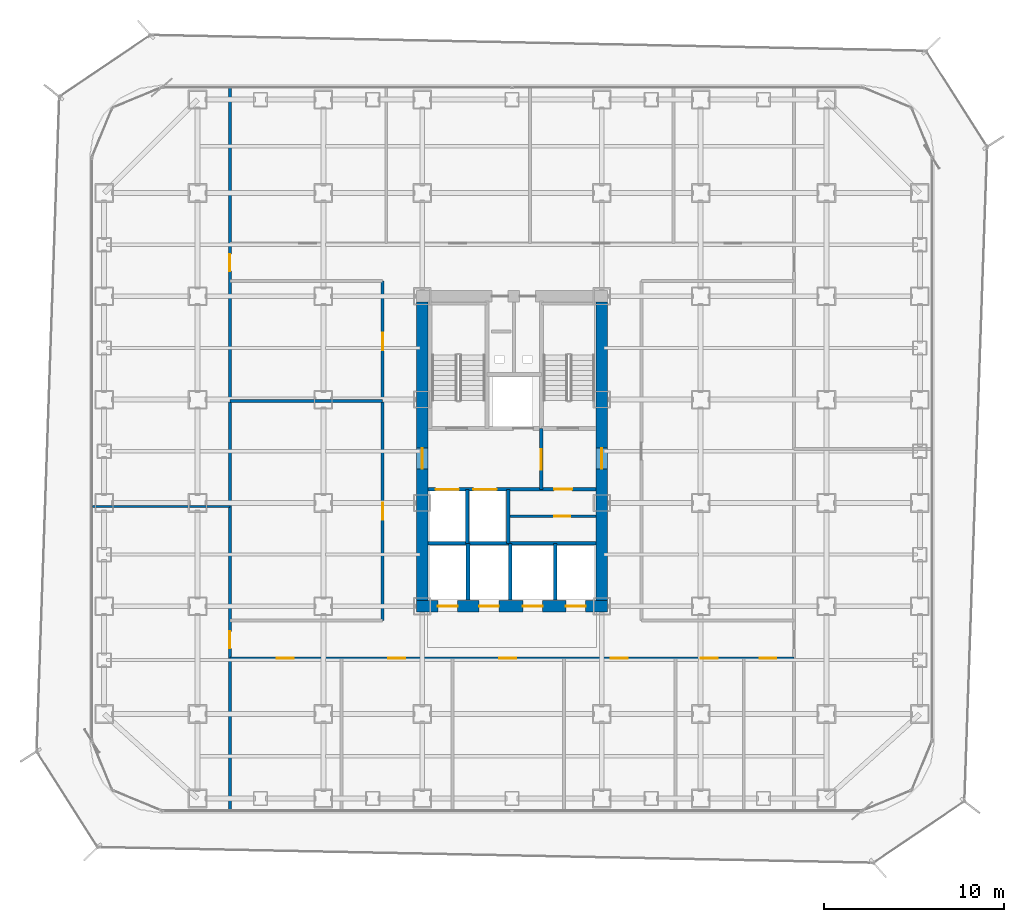
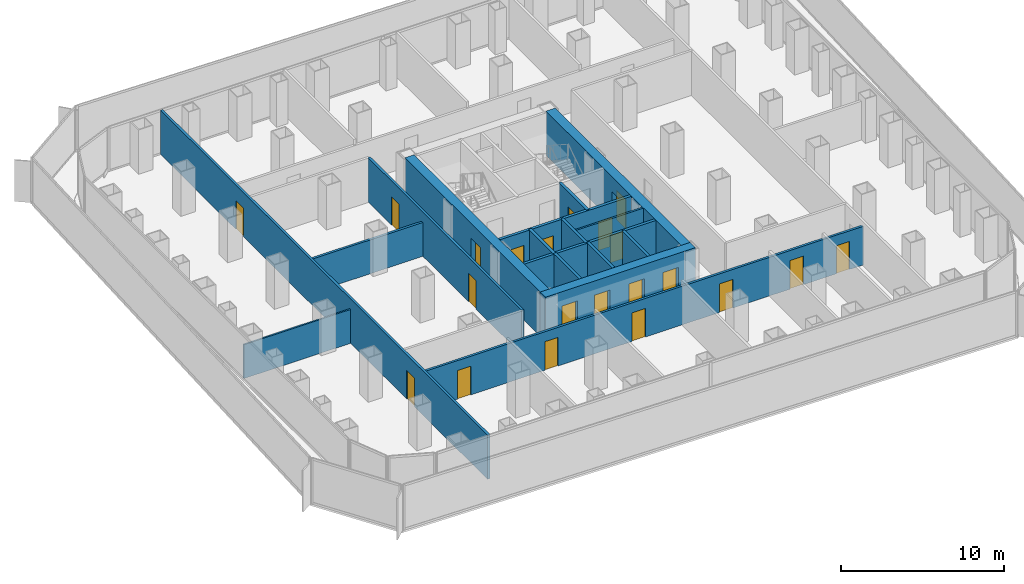
# One storey, part 17 of 22: 21 doors, 17 walls, 21 openings.
"""IFC4 building model written with IfcOpenShell, lengths in metres."""

import ifcopenshell
import ifcopenshell.guid

model = None  # the IFC model being written
_history = None  # IfcOwnerHistory: only IFC2X3 demands one
_inside = {}  # id of a spatial element -> (the spatial element, [elements in it])
_under = {}  # id of a project, library or spatial element -> (it, [spatial elements below it])
_declared = {}  # id of a project -> (the project, [libraries it declares])
_typed = {}  # id of a type object -> (the type object, [elements of that type])
_made_of = {}  # id of a material, layer set ... -> (it, [elements and type objects made of it])


def new_model(schema):
    """Start an empty IFC model of exactly this schema.

    Asked for "IFC4X3", IfcOpenShell would pick the latest addendum, in which some entities
    have other attributes; the version numbers below select the first issue.
    IFC2X3 requires an IfcOwnerHistory on every rooted entity: one is made here for all.
    """
    global model, _history
    if schema == "IFC4X3":
        model = ifcopenshell.file(schema_version=(4, 3, 0, 0))
    else:
        model = ifcopenshell.file(schema=schema)
    _inside.clear()
    _under.clear()
    _declared.clear()
    _typed.clear()
    _made_of.clear()
    _history = None
    if model.schema == "IFC2X3":
        org = make("IfcOrganization", Name="unknown")
        user = make(
            "IfcPersonAndOrganization",
            ThePerson=make("IfcPerson", FamilyName="unknown"),
            TheOrganization=org,
        )
        app = make(
            "IfcApplication",
            ApplicationDeveloper=org,
            Version="unknown",
            ApplicationFullName="unknown",
            ApplicationIdentifier="unknown",
        )
        _history = make(
            "IfcOwnerHistory",
            OwningUser=user,
            OwningApplication=app,
            ChangeAction="ADDED",
            CreationDate=0,
        )
    return model


def make(cls, **values):
    """One entity of the class cls with the attributes given. An attribute that is None is left unset."""
    return model.create_entity(
        cls, **{name: value for name, value in values.items() if value is not None}
    )


def rooted(cls, **values):
    """An entity with a GlobalId (a new one), such as an element, a storey or a relation."""
    return make(cls, GlobalId=ifcopenshell.guid.new(), OwnerHistory=_history, **values)


def si_unit(unit_type, name, prefix=None):
    """IfcSIUnit, for example si_unit("LENGTHUNIT", "METRE", prefix="MILLI")."""
    return make("IfcSIUnit", UnitType=unit_type, Prefix=prefix, Name=name)


def assignment(units):
    """IfcUnitAssignment: the units of a project."""
    return None if units is None else make("IfcUnitAssignment", Units=units)


def point(xyz):
    """IfcCartesianPoint."""
    return None if xyz is None else make("IfcCartesianPoint", Coordinates=xyz)


def direction(xyz):
    """IfcDirection."""
    return None if xyz is None else make("IfcDirection", DirectionRatios=xyz)


def frame(location, z_axis=None, x_axis=None):
    """IfcAxis2Placement3D, a coordinate frame: its origin and axes. An axis left out is left unset."""
    return make(
        "IfcAxis2Placement3D",
        Location=point(location),
        Axis=direction(z_axis),
        RefDirection=direction(x_axis),
    )


def frame_2d(location, x_axis=None):
    """IfcAxis2Placement2D, a coordinate frame in the plane: its origin and x axis."""
    return make(
        "IfcAxis2Placement2D", Location=point(location), RefDirection=direction(x_axis)
    )


def origin():
    """The frame at (0, 0, 0) with its axes left unset."""
    return frame((0.0, 0.0, 0.0))


def place(relative_to, where):
    """IfcLocalPlacement: puts the frame where relative to a parent placement (None: the world)."""
    return make(
        "IfcLocalPlacement", PlacementRelTo=relative_to, RelativePlacement=where
    )


def context(
    kind, dimensions, precision=None, world=None, true_north=None, identifier=None
):
    """IfcGeometricRepresentationContext, for example the 3D "Model" context."""
    return make(
        "IfcGeometricRepresentationContext",
        ContextIdentifier=identifier,
        ContextType=kind,
        CoordinateSpaceDimension=dimensions,
        Precision=precision,
        WorldCoordinateSystem=world,
        TrueNorth=true_north,
    )


def subcontext(parent, identifier, kind, view, scale=None):
    """IfcGeometricRepresentationSubContext, for example "Body" below "Model"."""
    return make(
        "IfcGeometricRepresentationSubContext",
        ContextIdentifier=identifier,
        ContextType=kind,
        ParentContext=parent,
        TargetScale=scale,
        TargetView=view,
    )


def project(units=None, contexts=None):
    """IfcProject with its units and contexts."""
    return rooted(
        "IfcProject",
        Name="project",
        RepresentationContexts=contexts,
        UnitsInContext=assignment(units),
    )


def spatial(cls, under=None, at=None, **own):
    """A site, building, storey or space (cls), placed at a placement, below another one or the project."""
    s = rooted(cls, ObjectPlacement=at, **own)
    if under is not None:
        _under.setdefault(under.id(), (under, []))[1].append(s)
    return s


def profile(cls, at=None, kind="AREA", **sizes):
    """A parametric profile (cls). Its sizes go by their IFC names, for example OverallWidth=200.0."""
    return make(cls, ProfileType=kind, Position=at, **sizes)


def rectangle(**sizes):
    """IfcRectangleProfileDef."""
    return profile("IfcRectangleProfileDef", **sizes)


def extrude(swept, where, along, depth):
    """IfcExtrudedAreaSolid: the profile swept, set in the frame where, extruded along a direction by depth."""
    return make(
        "IfcExtrudedAreaSolid",
        SweptArea=swept,
        Position=where,
        ExtrudedDirection=direction(along),
        Depth=depth,
    )


def shape(context_of_items, identifier, shape_type, items):
    """IfcShapeRepresentation: the items that make up one representation, for example the "Body"."""
    return make(
        "IfcShapeRepresentation",
        ContextOfItems=context_of_items,
        RepresentationIdentifier=identifier,
        RepresentationType=shape_type,
        Items=items,
    )


def material(Name=None, Category=None):
    """IfcMaterial."""
    return make("IfcMaterial", Name=Name, Category=Category)


def layer(
    of_material, thickness, ventilated=None, Name=None, Category=None, Priority=None
):
    """IfcMaterialLayer: one layer of a wall or slab, of a material (None: an air gap)."""
    return make(
        "IfcMaterialLayer",
        Material=of_material,
        LayerThickness=thickness,
        IsVentilated=ventilated,
        Name=Name,
        Category=Category,
        Priority=Priority,
    )


def layer_set(layers, Name=None):
    """IfcMaterialLayerSet."""
    return make("IfcMaterialLayerSet", MaterialLayers=layers, LayerSetName=Name)


def made_of(thing, what):
    """Note that an element or type object is made of a material, layer set ...; save() writes the relation."""
    if what is not None:
        _made_of.setdefault(what.id(), (what, []))[1].append(thing)
    return thing


def type_object(cls, material=None, **own):
    """A type object (cls), such as IfcWallType, which elements share."""
    return made_of(rooted(cls, **own), material)


def element(
    cls,
    number,
    at=None,
    inside=None,
    cuts=None,
    type_object=None,
    material=None,
    context=None,
    identifier="Body",
    shape_type=None,
    held_by="IfcProductDefinitionShape",
    body=None,
    shapes=None,
    **own,
):
    """One element of the class cls, such as IfcWall. Its Tag is "e" and its number.

    at: its placement. inside: the storey or other place that contains it. cuts: it is an
    opening in that element (IfcRelVoidsElement). A single representation is given by context,
    identifier, shape_type and body (its items); several are given by shapes. held_by: the class
    of the entity that holds the representations. save() writes the other relations.
    """
    e = rooted(cls, Tag="e%d" % number, ObjectPlacement=at, **own)
    if body is not None:
        shapes = [shape(context, identifier, shape_type, body)]
    if shapes is not None:
        e.Representation = make(held_by, Representations=shapes)
    if inside is not None:
        _inside.setdefault(inside.id(), (inside, []))[1].append(e)
    if cuts is not None:
        rooted(
            "IfcRelVoidsElement", RelatingBuildingElement=cuts, RelatedOpeningElement=e
        )
    if type_object is not None:
        _typed.setdefault(type_object.id(), (type_object, []))[1].append(e)
    return made_of(e, material)


def fill(opening, filler):
    """IfcRelFillsElement: the door or window that sits in an opening."""
    return rooted(
        "IfcRelFillsElement",
        RelatingOpeningElement=opening,
        RelatedBuildingElement=filler,
    )


def aggregate(whole, parts):
    """IfcRelAggregates: a whole, such as a stair, and the parts it consists of."""
    return rooted("IfcRelAggregates", RelatingObject=whole, RelatedObjects=parts)


def save(model, path):
    """Write the relations noted so far, then the file.

    IfcRelAggregates (storeys below a building ...), IfcRelContainedInSpatialStructure (elements
    in a storey), IfcRelDefinesByType, IfcRelAssociatesMaterial and IfcRelDeclares: one each for
    every whole, place, type object, material and project.
    """
    for whole, parts in _under.values():
        aggregate(whole, parts)
    for where, things in _inside.values():
        rooted(
            "IfcRelContainedInSpatialStructure",
            RelatedElements=things,
            RelatingStructure=where,
        )
    for kind, things in _typed.values():
        rooted("IfcRelDefinesByType", RelatedObjects=things, RelatingType=kind)
    for what, things in _made_of.values():
        rooted("IfcRelAssociatesMaterial", RelatedObjects=things, RelatingMaterial=what)
    for by, libraries in _declared.values():
        rooted("IfcRelDeclares", RelatingContext=by, RelatedDefinitions=libraries)
    model.write(path)


model = new_model("IFC4")

# Units and contexts
model_context = context("Model", 3, precision=1e-05, world=origin(), true_north=direction((0.0, 1.0)))
body_context = subcontext(model_context, "Body", "Model", "MODEL_VIEW")
ifc_project = project(units=[si_unit("LENGTHUNIT", "METRE"), si_unit("AREAUNIT", "SQUARE_METRE"), si_unit("VOLUMEUNIT", "CUBIC_METRE"), si_unit("PLANEANGLEUNIT", "RADIAN"), si_unit("MASSUNIT", "GRAM", prefix="KILO")], contexts=[model_context])

# Site, building, storey
site_placement = place(None, origin())
site = spatial("IfcSite", under=ifc_project, at=site_placement, CompositionType="ELEMENT")
building_placement = place(site_placement, origin())
building = spatial("IfcBuilding", under=site, at=building_placement, Name="Kolveth Station Tower", CompositionType="ELEMENT")
storey_placement = place(building_placement, frame((0.0, 0.0, 65.699951171875)))
storey = spatial("IfcBuildingStorey", under=building, at=storey_placement, Name="L17", CompositionType="ELEMENT", Elevation=65.699951171875)

# Wall, openings, doors
ifc_material_1 = material(Name="Concrete C60/75", Category="concrete")
ifc_layer_1 = layer(ifc_material_1, 0.64990234375)
ifc_layer_set_1 = layer_set([ifc_layer_1], Name="Concrete C60/75")
wall_type_1 = type_object("IfcWallType", Name="Wall_CW-650", PredefinedType="SHEAR", material=ifc_layer_set_1)
wall_1_placement = place(storey_placement, frame((18.175048828125, 11.5, 0.0), z_axis=(0.0, 0.0, 1.0), x_axis=(1.0, 0.0, 0.0)))
wall_1 = element("IfcWall", 1, at=wall_1_placement, inside=storey, type_object=wall_type_1, Name="L17 Core RC Shear Wall S", PredefinedType="SHEAR", context=body_context, shape_type="SweptSolid", body=[
    extrude(rectangle(XDim=10.64990234375, YDim=0.64990234375, at=frame_2d((5.324951171875, 0.0))), origin(), (0.0, 0.0, 1.0), 3.320068359375),
])
opening_1_placement = place(wall_1_placement, frame((1.195068359375, 0.0, 0.0)))
opening_1 = element("IfcOpeningElement", 2, at=opening_1_placement, cuts=wall_1, Name="Opening LD1", PredefinedType="OPENING", context=body_context, shape_type="SweptSolid", body=[
    extrude(rectangle(XDim=1.10009765625, YDim=2.25, at=frame_2d((0.550048828125, 1.125))), frame((0.0, 0.3349609375, 0.0), z_axis=(0.0, -1.0, 0.0), x_axis=(1.0, 0.0, 0.0)), (0.0, 0.0, 1.0), 0.669921875),
])
opening_2_placement = place(wall_1_placement, frame((3.4951171875, 0.0, 0.0)))
opening_2 = element("IfcOpeningElement", 3, at=opening_2_placement, cuts=wall_1, Name="Opening LD1", PredefinedType="OPENING", context=body_context, shape_type="SweptSolid", body=[
    extrude(rectangle(XDim=1.10009765625, YDim=2.25, at=frame_2d((0.550048828125, 1.125))), frame((0.0, 0.3349609375, 0.0), z_axis=(0.0, -1.0, 0.0), x_axis=(1.0, 0.0, 0.0)), (0.0, 0.0, 1.0), 0.669921875),
])
opening_3_placement = place(wall_1_placement, frame((5.925048828125, 0.0, 0.0)))
opening_3 = element("IfcOpeningElement", 4, at=opening_3_placement, cuts=wall_1, Name="Opening LD1", PredefinedType="OPENING", context=body_context, shape_type="SweptSolid", body=[
    extrude(rectangle(XDim=1.10009765625, YDim=2.25, at=frame_2d((0.550048828125, 1.125))), frame((0.0, 0.3349609375, 0.0), z_axis=(0.0, -1.0, 0.0), x_axis=(1.0, 0.0, 0.0)), (0.0, 0.0, 1.0), 0.669921875),
])
opening_4_placement = place(wall_1_placement, frame((8.324951171875, 0.0, 0.0)))
opening_4 = element("IfcOpeningElement", 5, at=opening_4_placement, cuts=wall_1, Name="Opening LD1", PredefinedType="OPENING", context=body_context, shape_type="SweptSolid", body=[
    extrude(rectangle(XDim=1.10009765625, YDim=2.25, at=frame_2d((0.550048828125, 1.125))), frame((0.0, 0.3349609375, 0.0), z_axis=(0.0, -1.0, 0.0), x_axis=(1.0, 0.0, 0.0)), (0.0, 0.0, 1.0), 0.669921875),
])
ifc_material_2 = material(Name="Brushed stainless steel sliding landing doors", Category="steel")
door_type_1 = type_object("IfcDoorType", Name="Door_LD1", OperationType="NOTDEFINED", PredefinedType="DOOR", material=ifc_material_2)
door_1_placement = place(opening_1_placement, frame((1.10009765625, 0.0, 0.0), z_axis=(0.0, 0.0, 1.0), x_axis=(-1.0, 0.0, 0.0)))
door_1 = element("IfcDoor", 6, at=door_1_placement, inside=storey, type_object=door_type_1, Name="L17 Lift PL1 Landing Door", OperationType="DOUBLE_DOOR_SLIDING", OverallHeight=2.25, OverallWidth=1.10009765625, PredefinedType="DOOR", context=body_context, shape_type="SweptSolid", body=[
    extrude(rectangle(XDim=1.10009765625, YDim=2.25, at=frame_2d((0.550048828125, 1.125))), frame((0.0, 0.02490234375, 0.0), z_axis=(0.0, -1.0, 0.0), x_axis=(1.0, 0.0, 0.0)), (0.0, 0.0, 1.0), 0.050048828125),
])
fill(opening_1, door_1)
door_2_placement = place(opening_2_placement, frame((1.10009765625, 0.0, 0.0), z_axis=(0.0, 0.0, 1.0), x_axis=(-1.0, 0.0, 0.0)))
door_2 = element("IfcDoor", 7, at=door_2_placement, inside=storey, type_object=door_type_1, Name="L17 Lift PL2 Landing Door", OperationType="DOUBLE_DOOR_SLIDING", OverallHeight=2.25, OverallWidth=1.10009765625, PredefinedType="DOOR", context=body_context, shape_type="SweptSolid", body=[
    extrude(rectangle(XDim=1.10009765625, YDim=2.25, at=frame_2d((0.550048828125, 1.125))), frame((0.0, 0.02490234375, 0.0), z_axis=(0.0, -1.0, 0.0), x_axis=(1.0, 0.0, 0.0)), (0.0, 0.0, 1.0), 0.050048828125),
])
fill(opening_2, door_2)
door_3_placement = place(opening_3_placement, frame((1.10009765625, 0.0, 0.0), z_axis=(0.0, 0.0, 1.0), x_axis=(-1.0, 0.0, 0.0)))
door_3 = element("IfcDoor", 8, at=door_3_placement, inside=storey, type_object=door_type_1, Name="L17 Lift PM1 Landing Door", OperationType="DOUBLE_DOOR_SLIDING", OverallHeight=2.25, OverallWidth=1.10009765625, PredefinedType="DOOR", context=body_context, shape_type="SweptSolid", body=[
    extrude(rectangle(XDim=1.10009765625, YDim=2.25, at=frame_2d((0.550048828125, 1.125))), frame((0.0, 0.02490234375, 0.0), z_axis=(0.0, -1.0, 0.0), x_axis=(1.0, 0.0, 0.0)), (0.0, 0.0, 1.0), 0.050048828125),
])
fill(opening_3, door_3)
door_4_placement = place(opening_4_placement, frame((1.10009765625, 0.0, 0.0), z_axis=(0.0, 0.0, 1.0), x_axis=(-1.0, 0.0, 0.0)))
door_4 = element("IfcDoor", 9, at=door_4_placement, inside=storey, type_object=door_type_1, Name="L17 Lift PH1 Landing Door", OperationType="DOUBLE_DOOR_SLIDING", OverallHeight=2.25, OverallWidth=1.10009765625, PredefinedType="DOOR", context=body_context, shape_type="SweptSolid", body=[
    extrude(rectangle(XDim=1.10009765625, YDim=2.25, at=frame_2d((0.550048828125, 1.125))), frame((0.0, 0.02490234375, 0.0), z_axis=(0.0, -1.0, 0.0), x_axis=(1.0, 0.0, 0.0)), (0.0, 0.0, 1.0), 0.050048828125),
])
fill(opening_4, door_4)

# Wall, opening, door
wall_2_placement = place(storey_placement, frame((18.5, 11.824951171875, 0.0), z_axis=(0.0, 0.0, 1.0), x_axis=(0.0, 1.0, 0.0)))
wall_2 = element("IfcWall", 10, at=wall_2_placement, inside=storey, type_object=wall_type_1, Name="L17 Core RC Shear Wall W", PredefinedType="SHEAR", context=body_context, shape_type="SweptSolid", body=[
    extrude(rectangle(XDim=16.60009765625, YDim=0.64990234375, at=frame_2d((8.300048828125, 0.0))), origin(), (0.0, 0.0, 1.0), 3.320068359375),
])
opening_5_placement = place(wall_2_placement, frame((7.324951171875, 0.0, 0.0)))
opening_5 = element("IfcOpeningElement", 11, at=opening_5_placement, cuts=wall_2, Name="Opening FD1", PredefinedType="OPENING", context=body_context, shape_type="SweptSolid", body=[
    extrude(rectangle(XDim=1.14990234375, YDim=2.199951171875, at=frame_2d((0.574951171875, 1.10009765625))), frame((0.0, 0.3349609375, 0.0), z_axis=(0.0, -1.0, 0.0), x_axis=(1.0, 0.0, 0.0)), (0.0, 0.0, 1.0), 0.669921875),
])
ifc_material_3 = material(Name="Fire-rated Steel S355 leaf and frame", Category="steel")
door_type_2 = type_object("IfcDoorType", Name="Door_FD1", OperationType="NOTDEFINED", PredefinedType="DOOR", material=ifc_material_3)
door_5_placement = place(opening_5_placement, frame((1.14990234375, 0.0, 0.0), z_axis=(0.0, 0.0, 1.0), x_axis=(-1.0, 0.0, 0.0)))
door_5 = element("IfcDoor", 12, at=door_5_placement, inside=storey, type_object=door_type_2, Name="L17 West Corridor to Firefighting Lobby Door", OperationType="SINGLE_SWING_RIGHT", OverallHeight=2.199951171875, OverallWidth=1.14990234375, PredefinedType="DOOR", context=body_context, shape_type="SweptSolid", body=[
    extrude(rectangle(XDim=1.14990234375, YDim=2.199951171875, at=frame_2d((0.574951171875, 1.10009765625))), frame((0.0, 0.02490234375, 0.0), z_axis=(0.0, -1.0, 0.0), x_axis=(1.0, 0.0, 0.0)), (0.0, 0.0, 1.0), 0.050048828125),
])
fill(opening_5, door_5)

wall_3_placement = place(storey_placement, frame((28.5, 11.824951171875, 0.0), z_axis=(0.0, 0.0, 1.0), x_axis=(0.0, 1.0, 0.0)))
wall_3 = element("IfcWall", 13, at=wall_3_placement, inside=storey, type_object=wall_type_1, Name="L17 Core RC Shear Wall E", PredefinedType="SHEAR", context=body_context, shape_type="SweptSolid", body=[
    extrude(rectangle(XDim=16.60009765625, YDim=0.64990234375, at=frame_2d((8.300048828125, 0.0))), origin(), (0.0, 0.0, 1.0), 3.320068359375),
])
opening_6_placement = place(wall_3_placement, frame((7.324951171875, 0.0, 0.0)))
opening_6 = element("IfcOpeningElement", 14, at=opening_6_placement, cuts=wall_3, Name="Opening FD1", PredefinedType="OPENING", context=body_context, shape_type="SweptSolid", body=[
    extrude(rectangle(XDim=1.14990234375, YDim=2.199951171875, at=frame_2d((0.574951171875, 1.10009765625))), frame((0.0, 0.3349609375, 0.0), z_axis=(0.0, -1.0, 0.0), x_axis=(1.0, 0.0, 0.0)), (0.0, 0.0, 1.0), 0.669921875),
])
door_6_placement = place(opening_6_placement, origin())
door_6 = element("IfcDoor", 15, at=door_6_placement, inside=storey, type_object=door_type_2, Name="L17 East Corridor to Stair Lobby Door", OperationType="SINGLE_SWING_LEFT", OverallHeight=2.199951171875, OverallWidth=1.14990234375, PredefinedType="DOOR", context=body_context, shape_type="SweptSolid", body=[
    extrude(rectangle(XDim=1.14990234375, YDim=2.199951171875, at=frame_2d((0.574951171875, 1.10009765625))), frame((0.0, 0.02490234375, 0.0), z_axis=(0.0, -1.0, 0.0), x_axis=(1.0, 0.0, 0.0)), (0.0, 0.0, 1.0), 0.050048828125),
])
fill(opening_6, door_6)

# Wall
ifc_material_4 = material(Name="Framed gypsum partition")
ifc_layer_2 = layer(ifc_material_4, 0.114990234375)
ifc_layer_set_2 = layer_set([ifc_layer_2], Name="Framed gypsum partition")
wall_type_2 = type_object("IfcWallType", Name="Wall_IW-115", PredefinedType="PARTITIONING", material=ifc_layer_set_2)
wall_4_placement = place(storey_placement, frame((0.159912109375, 17.050048828125, 0.0), z_axis=(0.0, 0.0, 1.0), x_axis=(1.0, 0.0, 0.0)))
element("IfcWall", 16, at=wall_4_placement, inside=storey, type_object=wall_type_2, Name="L17 Partition Wall WL-L17-OWM", PredefinedType="PARTITIONING", context=body_context, shape_type="SweptSolid", body=[
    extrude(rectangle(XDim=7.64013671875, YDim=0.114990234375, at=frame_2d((3.820068359375, 0.0))), origin(), (0.0, 0.0, 1.0), 2.5390625),
])

# Wall, opening, door
ifc_material_5 = material(Name="Moisture-resistant gypsum partition")
ifc_layer_3 = layer(ifc_material_5, 0.135009765625)
ifc_layer_set_3 = layer_set([ifc_layer_3], Name="Moisture-resistant gypsum partition")
wall_type_3 = type_object("IfcWallType", Name="Wall_IW-135", PredefinedType="PARTITIONING", material=ifc_layer_set_3)
wall_5_placement = place(storey_placement, frame((23.300048828125, 16.5, 0.0), z_axis=(0.0, 0.0, 1.0), x_axis=(1.0, 0.0, 0.0)))
wall_5 = element("IfcWall", 17, at=wall_5_placement, inside=storey, type_object=wall_type_3, Name="L17 Partition Wall WL-L17-CB-H1", PredefinedType="PARTITIONING", context=body_context, shape_type="SweptSolid", body=[
    extrude(rectangle(XDim=4.864990234375, YDim=0.135009765625, at=frame_2d((2.4326171875, 0.0))), origin(), (0.0, 0.0, 1.0), 3.320068359375),
])
opening_7_placement = place(wall_5_placement, frame((2.550048828125, 0.0, 0.0)))
opening_7 = element("IfcOpeningElement", 18, at=opening_7_placement, cuts=wall_5, Name="Opening RD1", PredefinedType="OPENING", context=body_context, shape_type="SweptSolid", body=[
    extrude(rectangle(XDim=0.89990234375, YDim=2.050048828125, at=frame_2d((0.449951171875, 1.02490234375))), frame((0.0, 0.077392578125, 0.0), z_axis=(0.0, -1.0, 0.0), x_axis=(1.0, 0.0, 0.0)), (0.0, 0.0, 1.0), 0.155029296875),
])
ifc_material_6 = material(Name="Fire-rated Steel S355 riser access leaf", Category="steel")
door_type_3 = type_object("IfcDoorType", Name="Door_RD1", OperationType="NOTDEFINED", PredefinedType="DOOR", material=ifc_material_6)
door_7_placement = place(opening_7_placement, frame((0.89990234375, 0.0, 0.0), z_axis=(0.0, 0.0, 1.0), x_axis=(-1.0, 0.0, 0.0)))
door_7 = element("IfcDoor", 19, at=door_7_placement, inside=storey, type_object=door_type_3, Name="L17 Core Equipment Store Door", OperationType="SINGLE_SWING_LEFT", OverallHeight=2.050048828125, OverallWidth=0.89990234375, PredefinedType="DOOR", context=body_context, shape_type="SweptSolid", body=[
    extrude(rectangle(XDim=0.89990234375, YDim=2.050048828125, at=frame_2d((0.449951171875, 1.02490234375))), frame((0.0, 0.02490234375, 0.0), z_axis=(0.0, -1.0, 0.0), x_axis=(1.0, 0.0, 0.0)), (0.0, 0.0, 1.0), 0.050048828125),
])
fill(opening_7, door_7)

# Wall, openings, doors
ifc_material_7 = material(Name="Acoustic double-stud gypsum partition")
ifc_layer_4 = layer(ifc_material_7, 0.1650390625)
ifc_layer_set_4 = layer_set([ifc_layer_4], Name="Acoustic double-stud gypsum partition")
wall_type_4 = type_object("IfcWallType", Name="Wall_IW-165", PredefinedType="PARTITIONING", material=ifc_layer_set_4)
wall_6_placement = place(storey_placement, frame((7.800048828125, 8.60009765625, 0.0), z_axis=(0.0, 0.0, 1.0), x_axis=(1.0, 0.0, 0.0)))
wall_6 = element("IfcWall", 20, at=wall_6_placement, inside=storey, type_object=wall_type_4, Name="L17 Partition Wall WL-L17-OS", PredefinedType="PARTITIONING", context=body_context, shape_type="SweptSolid", body=[
    extrude(rectangle(XDim=31.39990234375, YDim=0.1650390625, at=frame_2d((15.699951171875, 0.0))), origin(), (0.0, 0.0, 1.0), 2.89794921875),
])
opening_8_placement = place(wall_6_placement, frame((2.60009765625, 0.0, 0.0)))
opening_8 = element("IfcOpeningElement", 21, at=opening_8_placement, cuts=wall_6, Name="Opening ID1", PredefinedType="OPENING", context=body_context, shape_type="SweptSolid", body=[
    extrude(rectangle(XDim=0.949951171875, YDim=2.14990234375, at=frame_2d((0.47509765625, 1.074951171875))), frame((0.0, 0.092529296875, 0.0), z_axis=(0.0, -1.0, 0.0), x_axis=(1.0, 0.0, 0.0)), (0.0, 0.0, 1.0), 0.18505859375),
])
opening_9_placement = place(wall_6_placement, frame((8.800048828125, 0.0, 0.0)))
opening_9 = element("IfcOpeningElement", 22, at=opening_9_placement, cuts=wall_6, Name="Opening ID1", PredefinedType="OPENING", context=body_context, shape_type="SweptSolid", body=[
    extrude(rectangle(XDim=0.949951171875, YDim=2.14990234375, at=frame_2d((0.47509765625, 1.074951171875))), frame((0.0, 0.092529296875, 0.0), z_axis=(0.0, -1.0, 0.0), x_axis=(1.0, 0.0, 0.0)), (0.0, 0.0, 1.0), 0.18505859375),
])
opening_10_placement = place(wall_6_placement, frame((15.0, 0.0, 0.0)))
opening_10 = element("IfcOpeningElement", 23, at=opening_10_placement, cuts=wall_6, Name="Opening ID1", PredefinedType="OPENING", context=body_context, shape_type="SweptSolid", body=[
    extrude(rectangle(XDim=0.949951171875, YDim=2.14990234375, at=frame_2d((0.47509765625, 1.074951171875))), frame((0.0, 0.092529296875, 0.0), z_axis=(0.0, -1.0, 0.0), x_axis=(1.0, 0.0, 0.0)), (0.0, 0.0, 1.0), 0.18505859375),
])
opening_11_placement = place(wall_6_placement, frame((21.199951171875, 0.0, 0.0)))
opening_11 = element("IfcOpeningElement", 24, at=opening_11_placement, cuts=wall_6, Name="Opening ID1", PredefinedType="OPENING", context=body_context, shape_type="SweptSolid", body=[
    extrude(rectangle(XDim=0.949951171875, YDim=2.14990234375, at=frame_2d((0.47509765625, 1.074951171875))), frame((0.0, 0.092529296875, 0.0), z_axis=(0.0, -1.0, 0.0), x_axis=(1.0, 0.0, 0.0)), (0.0, 0.0, 1.0), 0.18505859375),
])
opening_12_placement = place(wall_6_placement, frame((26.199951171875, 0.0, 0.0)))
opening_12 = element("IfcOpeningElement", 25, at=opening_12_placement, cuts=wall_6, Name="Opening ID1", PredefinedType="OPENING", context=body_context, shape_type="SweptSolid", body=[
    extrude(rectangle(XDim=0.949951171875, YDim=2.14990234375, at=frame_2d((0.47509765625, 1.074951171875))), frame((0.0, 0.092529296875, 0.0), z_axis=(0.0, -1.0, 0.0), x_axis=(1.0, 0.0, 0.0)), (0.0, 0.0, 1.0), 0.18505859375),
])
opening_13_placement = place(wall_6_placement, frame((29.5, 0.0, 0.0)))
opening_13 = element("IfcOpeningElement", 26, at=opening_13_placement, cuts=wall_6, Name="Opening ID2", PredefinedType="OPENING", context=body_context, shape_type="SweptSolid", body=[
    extrude(rectangle(XDim=0.919921875, YDim=2.10009765625, at=frame_2d((0.4599609375, 1.050048828125))), frame((0.0, 0.092529296875, 0.0), z_axis=(0.0, -1.0, 0.0), x_axis=(1.0, 0.0, 0.0)), (0.0, 0.0, 1.0), 0.18505859375),
])
ifc_material_8 = material(Name="Acoustic hardwood leaf and aluminium frame", Category="wood")
door_type_4 = type_object("IfcDoorType", Name="Door_ID1", OperationType="NOTDEFINED", PredefinedType="DOOR", material=ifc_material_8)
door_8_placement = place(opening_8_placement, frame((0.949951171875, 0.0, 0.0), z_axis=(0.0, 0.0, 1.0), x_axis=(-1.0, 0.0, 0.0)))
door_8 = element("IfcDoor", 27, at=door_8_placement, inside=storey, type_object=door_type_4, Name="L17 Meeting Room A Door", OperationType="SINGLE_SWING_LEFT", OverallHeight=2.14990234375, OverallWidth=0.949951171875, PredefinedType="DOOR", context=body_context, shape_type="SweptSolid", body=[
    extrude(rectangle(XDim=0.949951171875, YDim=2.14990234375, at=frame_2d((0.47509765625, 1.074951171875))), frame((0.0, 0.02490234375, 0.0), z_axis=(0.0, -1.0, 0.0), x_axis=(1.0, 0.0, 0.0)), (0.0, 0.0, 1.0), 0.050048828125),
])
fill(opening_8, door_8)
door_9_placement = place(opening_9_placement, frame((0.949951171875, 0.0, 0.0), z_axis=(0.0, 0.0, 1.0), x_axis=(-1.0, 0.0, 0.0)))
door_9 = element("IfcDoor", 28, at=door_9_placement, inside=storey, type_object=door_type_4, Name="L17 Meeting Room B Door", OperationType="SINGLE_SWING_LEFT", OverallHeight=2.14990234375, OverallWidth=0.949951171875, PredefinedType="DOOR", context=body_context, shape_type="SweptSolid", body=[
    extrude(rectangle(XDim=0.949951171875, YDim=2.14990234375, at=frame_2d((0.47509765625, 1.074951171875))), frame((0.0, 0.02490234375, 0.0), z_axis=(0.0, -1.0, 0.0), x_axis=(1.0, 0.0, 0.0)), (0.0, 0.0, 1.0), 0.050048828125),
])
fill(opening_9, door_9)
door_10_placement = place(opening_10_placement, frame((0.949951171875, 0.0, 0.0), z_axis=(0.0, 0.0, 1.0), x_axis=(-1.0, 0.0, 0.0)))
door_10 = element("IfcDoor", 29, at=door_10_placement, inside=storey, type_object=door_type_4, Name="L17 Meeting Room C Door", OperationType="SINGLE_SWING_RIGHT", OverallHeight=2.14990234375, OverallWidth=0.949951171875, PredefinedType="DOOR", context=body_context, shape_type="SweptSolid", body=[
    extrude(rectangle(XDim=0.949951171875, YDim=2.14990234375, at=frame_2d((0.47509765625, 1.074951171875))), frame((0.0, 0.02490234375, 0.0), z_axis=(0.0, -1.0, 0.0), x_axis=(1.0, 0.0, 0.0)), (0.0, 0.0, 1.0), 0.050048828125),
])
fill(opening_10, door_10)
door_11_placement = place(opening_11_placement, frame((0.949951171875, 0.0, 0.0), z_axis=(0.0, 0.0, 1.0), x_axis=(-1.0, 0.0, 0.0)))
door_11 = element("IfcDoor", 30, at=door_11_placement, inside=storey, type_object=door_type_4, Name="L17 Meeting Room D Door", OperationType="SINGLE_SWING_LEFT", OverallHeight=2.14990234375, OverallWidth=0.949951171875, PredefinedType="DOOR", context=body_context, shape_type="SweptSolid", body=[
    extrude(rectangle(XDim=0.949951171875, YDim=2.14990234375, at=frame_2d((0.47509765625, 1.074951171875))), frame((0.0, 0.02490234375, 0.0), z_axis=(0.0, -1.0, 0.0), x_axis=(1.0, 0.0, 0.0)), (0.0, 0.0, 1.0), 0.050048828125),
])
fill(opening_11, door_11)
door_12_placement = place(opening_12_placement, frame((0.949951171875, 0.0, 0.0), z_axis=(0.0, 0.0, 1.0), x_axis=(-1.0, 0.0, 0.0)))
door_12 = element("IfcDoor", 31, at=door_12_placement, inside=storey, type_object=door_type_4, Name="L17 Office Pantry Door", OperationType="SINGLE_SWING_RIGHT", OverallHeight=2.14990234375, OverallWidth=0.949951171875, PredefinedType="DOOR", context=body_context, shape_type="SweptSolid", body=[
    extrude(rectangle(XDim=0.949951171875, YDim=2.14990234375, at=frame_2d((0.47509765625, 1.074951171875))), frame((0.0, 0.02490234375, 0.0), z_axis=(0.0, -1.0, 0.0), x_axis=(1.0, 0.0, 0.0)), (0.0, 0.0, 1.0), 0.050048828125),
])
fill(opening_12, door_12)
ifc_material_9 = material(Name="Moisture-resistant hardwood leaf", Category="wood")
door_type_5 = type_object("IfcDoorType", Name="Door_ID2", OperationType="NOTDEFINED", PredefinedType="DOOR", material=ifc_material_9)
door_13_placement = place(opening_13_placement, frame((0.919921875, 0.0, 0.0), z_axis=(0.0, 0.0, 1.0), x_axis=(-1.0, 0.0, 0.0)))
door_13 = element("IfcDoor", 32, at=door_13_placement, inside=storey, type_object=door_type_5, Name="L17 Accessible WC Door", OperationType="SINGLE_SWING_LEFT", OverallHeight=2.10009765625, OverallWidth=0.919921875, PredefinedType="DOOR", context=body_context, shape_type="SweptSolid", body=[
    extrude(rectangle(XDim=0.919921875, YDim=2.10009765625, at=frame_2d((0.4599609375, 1.050048828125))), frame((0.0, 0.02490234375, 0.0), z_axis=(0.0, -1.0, 0.0), x_axis=(1.0, 0.0, 0.0)), (0.0, 0.0, 1.0), 0.050048828125),
])
fill(opening_13, door_13)

wall_7_placement = place(storey_placement, frame((16.300048828125, 10.699951171875, 0.0), z_axis=(0.0, 0.0, 1.0), x_axis=(0.0, 1.0, 0.0)))
wall_7 = element("IfcWall", 33, at=wall_7_placement, inside=storey, type_object=wall_type_4, Name="L17 Partition Wall WL-L17-OCW", PredefinedType="PARTITIONING", context=body_context, shape_type="SweptSolid", body=[
    extrude(rectangle(XDim=18.900146484375, YDim=0.1650390625, at=frame_2d((9.4501953125, 0.0))), origin(), (0.0, 0.0, 1.0), 3.320068359375),
])
opening_14_placement = place(wall_7_placement, frame((5.611083984375, 0.0, 0.0)))
opening_14 = element("IfcOpeningElement", 34, at=opening_14_placement, cuts=wall_7, Name="Opening ID1", PredefinedType="OPENING", context=body_context, shape_type="SweptSolid", body=[
    extrude(rectangle(XDim=0.949951171875, YDim=2.14990234375, at=frame_2d((0.47509765625, 1.074951171875))), frame((0.0, 0.092529296875, 0.0), z_axis=(0.0, -1.0, 0.0), x_axis=(1.0, 0.0, 0.0)), (0.0, 0.0, 1.0), 0.18505859375),
])
opening_15_placement = place(wall_7_placement, frame((15.06103515625, 0.0, 0.0)))
opening_15 = element("IfcOpeningElement", 35, at=opening_15_placement, cuts=wall_7, Name="Opening ID1", PredefinedType="OPENING", context=body_context, shape_type="SweptSolid", body=[
    extrude(rectangle(XDim=0.949951171875, YDim=2.14990234375, at=frame_2d((0.47509765625, 1.074951171875))), frame((0.0, 0.092529296875, 0.0), z_axis=(0.0, -1.0, 0.0), x_axis=(1.0, 0.0, 0.0)), (0.0, 0.0, 1.0), 0.18505859375),
])
door_14_placement = place(opening_14_placement, frame((0.949951171875, 0.0, 0.0), z_axis=(0.0, 0.0, 1.0), x_axis=(-1.0, 0.0, 0.0)))
door_14 = element("IfcDoor", 36, at=door_14_placement, inside=storey, type_object=door_type_4, Name="L17 Internal Meeting Room W1 Door", OperationType="SINGLE_SWING_RIGHT", OverallHeight=2.14990234375, OverallWidth=0.949951171875, PredefinedType="DOOR", context=body_context, shape_type="SweptSolid", body=[
    extrude(rectangle(XDim=0.949951171875, YDim=2.14990234375, at=frame_2d((0.47509765625, 1.074951171875))), frame((0.0, 0.02490234375, 0.0), z_axis=(0.0, -1.0, 0.0), x_axis=(1.0, 0.0, 0.0)), (0.0, 0.0, 1.0), 0.050048828125),
])
fill(opening_14, door_14)
door_15_placement = place(opening_15_placement, frame((0.949951171875, 0.0, 0.0), z_axis=(0.0, 0.0, 1.0), x_axis=(-1.0, 0.0, 0.0)))
door_15 = element("IfcDoor", 37, at=door_15_placement, inside=storey, type_object=door_type_4, Name="L17 Print and Archive Room Door", OperationType="SINGLE_SWING_LEFT", OverallHeight=2.14990234375, OverallWidth=0.949951171875, PredefinedType="DOOR", context=body_context, shape_type="SweptSolid", body=[
    extrude(rectangle(XDim=0.949951171875, YDim=2.14990234375, at=frame_2d((0.47509765625, 1.074951171875))), frame((0.0, 0.02490234375, 0.0), z_axis=(0.0, -1.0, 0.0), x_axis=(1.0, 0.0, 0.0)), (0.0, 0.0, 1.0), 0.050048828125),
])
fill(opening_15, door_15)

wall_8_placement = place(storey_placement, frame((7.800048828125, 0.159912109375, 0.0), z_axis=(0.0, 0.0, 1.0), x_axis=(0.0, 1.0, 0.0)))
wall_8 = element("IfcWall", 38, at=wall_8_placement, inside=storey, type_object=wall_type_4, Name="L17 Partition Wall WL-L17-OWEND", PredefinedType="PARTITIONING", context=body_context, shape_type="SweptSolid", body=[
    extrude(rectangle(XDim=40.18017578125, YDim=0.1650390625, at=frame_2d((20.090087890625, 0.0))), origin(), (0.0, 0.0, 1.0), 3.320068359375),
])
opening_16_placement = place(wall_8_placement, frame((8.989990234375, 0.0, 0.0)))
opening_16 = element("IfcOpeningElement", 39, at=opening_16_placement, cuts=wall_8, Name="Opening ID1", PredefinedType="OPENING", context=body_context, shape_type="SweptSolid", body=[
    extrude(rectangle(XDim=0.949951171875, YDim=2.14990234375, at=frame_2d((0.47509765625, 1.074951171875))), frame((0.0, 0.092529296875, 0.0), z_axis=(0.0, -1.0, 0.0), x_axis=(1.0, 0.0, 0.0)), (0.0, 0.0, 1.0), 0.18505859375),
])
opening_17_placement = place(wall_8_placement, frame((29.989990234375, 0.0, 0.0)))
opening_17 = element("IfcOpeningElement", 40, at=opening_17_placement, cuts=wall_8, Name="Opening ID1", PredefinedType="OPENING", context=body_context, shape_type="SweptSolid", body=[
    extrude(rectangle(XDim=0.949951171875, YDim=2.14990234375, at=frame_2d((0.47509765625, 1.074951171875))), frame((0.0, 0.092529296875, 0.0), z_axis=(0.0, -1.0, 0.0), x_axis=(1.0, 0.0, 0.0)), (0.0, 0.0, 1.0), 0.18505859375),
])
door_16_placement = place(opening_16_placement, frame((0.949951171875, 0.0, 0.0), z_axis=(0.0, 0.0, 1.0), x_axis=(-1.0, 0.0, 0.0)))
door_16 = element("IfcDoor", 41, at=door_16_placement, inside=storey, type_object=door_type_4, Name="L17 West-South Wing Door", OperationType="SINGLE_SWING_LEFT", OverallHeight=2.14990234375, OverallWidth=0.949951171875, PredefinedType="DOOR", context=body_context, shape_type="SweptSolid", body=[
    extrude(rectangle(XDim=0.949951171875, YDim=2.14990234375, at=frame_2d((0.47509765625, 1.074951171875))), frame((0.0, 0.02490234375, 0.0), z_axis=(0.0, -1.0, 0.0), x_axis=(1.0, 0.0, 0.0)), (0.0, 0.0, 1.0), 0.050048828125),
])
fill(opening_16, door_16)
door_17_placement = place(opening_17_placement, frame((0.949951171875, 0.0, 0.0), z_axis=(0.0, 0.0, 1.0), x_axis=(-1.0, 0.0, 0.0)))
door_17 = element("IfcDoor", 42, at=door_17_placement, inside=storey, type_object=door_type_4, Name="L17 West-North Wing Door", OperationType="SINGLE_SWING_LEFT", OverallHeight=2.14990234375, OverallWidth=0.949951171875, PredefinedType="DOOR", context=body_context, shape_type="SweptSolid", body=[
    extrude(rectangle(XDim=0.949951171875, YDim=2.14990234375, at=frame_2d((0.47509765625, 1.074951171875))), frame((0.0, 0.02490234375, 0.0), z_axis=(0.0, -1.0, 0.0), x_axis=(1.0, 0.0, 0.0)), (0.0, 0.0, 1.0), 0.050048828125),
])
fill(opening_17, door_17)

# Wall
wall_9_placement = place(storey_placement, frame((7.800048828125, 22.922119140625, 0.0), z_axis=(0.0, 0.0, 1.0), x_axis=(1.0, 0.0, 0.0)))
element("IfcWall", 43, at=wall_9_placement, inside=storey, type_object=wall_type_4, Name="L17 Partition Wall WL-L17-OIW-P1", PredefinedType="PARTITIONING", context=body_context, shape_type="SweptSolid", body=[
    extrude(rectangle(XDim=8.5, YDim=0.1650390625, at=frame_2d((4.25, 0.0))), origin(), (0.0, 0.0, 1.0), 2.5390625),
])

# Wall, opening, door
ifc_material_10 = material(Name="Acoustic fire-rated gypsum blockwork", Category="masonry")
ifc_layer_5 = layer(ifc_material_10, 0.199951171875)
ifc_layer_set_5 = layer_set([ifc_layer_5], Name="Acoustic fire-rated gypsum blockwork")
wall_type_5 = type_object("IfcWallType", Name="Wall_IW-200", PredefinedType="PARTITIONING", material=ifc_layer_set_5)
wall_10_placement = place(storey_placement, frame((25.1298828125, 18.0, 0.0), z_axis=(0.0, 0.0, 1.0), x_axis=(0.0, 1.0, 0.0)))
wall_10 = element("IfcWall", 44, at=wall_10_placement, inside=storey, type_object=wall_type_5, Name="L17 Partition Wall WL-L17-FFL-E", PredefinedType="PARTITIONING", context=body_context, shape_type="SweptSolid", body=[
    extrude(rectangle(XDim=3.389892578125, YDim=0.199951171875, at=frame_2d((1.69482421875, 0.0))), origin(), (0.0, 0.0, 1.0), 3.320068359375),
])
opening_18_placement = place(wall_10_placement, frame((1.10009765625, 0.0, 0.0)))
opening_18 = element("IfcOpeningElement", 45, at=opening_18_placement, cuts=wall_10, Name="Opening FD1", PredefinedType="OPENING", context=body_context, shape_type="SweptSolid", body=[
    extrude(rectangle(XDim=1.14990234375, YDim=2.199951171875, at=frame_2d((0.574951171875, 1.10009765625))), frame((0.0, 0.10986328125, 0.0), z_axis=(0.0, -1.0, 0.0), x_axis=(1.0, 0.0, 0.0)), (0.0, 0.0, 1.0), 0.219970703125),
])
door_18_placement = place(opening_18_placement, origin())
door_18 = element("IfcDoor", 46, at=door_18_placement, inside=storey, type_object=door_type_2, Name="L17 Firefighting to Stair Lobby Door", OperationType="SINGLE_SWING_LEFT", OverallHeight=2.199951171875, OverallWidth=1.14990234375, PredefinedType="DOOR", context=body_context, shape_type="SweptSolid", body=[
    extrude(rectangle(XDim=1.14990234375, YDim=2.199951171875, at=frame_2d((0.574951171875, 1.10009765625))), frame((0.0, 0.02490234375, 0.0), z_axis=(0.0, -1.0, 0.0), x_axis=(1.0, 0.0, 0.0)), (0.0, 0.0, 1.0), 0.050048828125),
])
fill(opening_18, door_18)

# Wall, openings, doors
wall_11_placement = place(storey_placement, frame((18.8349609375, 18.0, 0.0), z_axis=(0.0, 0.0, 1.0), x_axis=(1.0, 0.0, 0.0)))
wall_11 = element("IfcWall", 47, at=wall_11_placement, inside=storey, type_object=wall_type_5, Name="L17 Partition Wall WL-L17-FFL-S", PredefinedType="PARTITIONING", context=body_context, shape_type="SweptSolid", body=[
    extrude(rectangle(XDim=9.330078125, YDim=0.199951171875, at=frame_2d((4.6650390625, 0.0))), origin(), (0.0, 0.0, 1.0), 3.320068359375),
])
opening_19_placement = place(wall_11_placement, frame((0.4150390625, 0.0, 0.0)))
opening_19 = element("IfcOpeningElement", 48, at=opening_19_placement, cuts=wall_11, Name="Opening LD2", PredefinedType="OPENING", context=body_context, shape_type="SweptSolid", body=[
    extrude(rectangle(XDim=1.300048828125, YDim=2.300048828125, at=frame_2d((0.64990234375, 1.14990234375))), frame((0.0, 0.10986328125, 0.0), z_axis=(0.0, -1.0, 0.0), x_axis=(1.0, 0.0, 0.0)), (0.0, 0.0, 1.0), 0.219970703125),
])
opening_20_placement = place(wall_11_placement, frame((2.514892578125, 0.0, 0.0)))
opening_20 = element("IfcOpeningElement", 49, at=opening_20_placement, cuts=wall_11, Name="Opening LD2", PredefinedType="OPENING", context=body_context, shape_type="SweptSolid", body=[
    extrude(rectangle(XDim=1.300048828125, YDim=2.300048828125, at=frame_2d((0.64990234375, 1.14990234375))), frame((0.0, 0.10986328125, 0.0), z_axis=(0.0, -1.0, 0.0), x_axis=(1.0, 0.0, 0.0)), (0.0, 0.0, 1.0), 0.219970703125),
])
opening_21_placement = place(wall_11_placement, frame((7.014892578125, 0.0, 0.0)))
opening_21 = element("IfcOpeningElement", 50, at=opening_21_placement, cuts=wall_11, Name="Opening FD3", PredefinedType="OPENING", context=body_context, shape_type="SweptSolid", body=[
    extrude(rectangle(XDim=1.0, YDim=2.14990234375, at=frame_2d((0.5, 1.074951171875))), frame((0.0, 0.10986328125, 0.0), z_axis=(0.0, -1.0, 0.0), x_axis=(1.0, 0.0, 0.0)), (0.0, 0.0, 1.0), 0.219970703125),
])
ifc_material_11 = material(Name="Fire-rated hardwood leaf and aluminium frame", Category="wood")
door_type_6 = type_object("IfcDoorType", Name="Door_FD3", OperationType="NOTDEFINED", PredefinedType="DOOR", material=ifc_material_11)
door_19_placement = place(opening_21_placement, frame((1.0, 0.0, 0.0), z_axis=(0.0, 0.0, 1.0), x_axis=(-1.0, 0.0, 0.0)))
door_19 = element("IfcDoor", 51, at=door_19_placement, inside=storey, type_object=door_type_6, Name="L17 Core Linen and Supply Store Door", OperationType="SINGLE_SWING_RIGHT", OverallHeight=2.14990234375, OverallWidth=1.0, PredefinedType="DOOR", context=body_context, shape_type="SweptSolid", body=[
    extrude(rectangle(XDim=1.0, YDim=2.14990234375, at=frame_2d((0.5, 1.074951171875))), frame((0.0, 0.02490234375, 0.0), z_axis=(0.0, -1.0, 0.0), x_axis=(1.0, 0.0, 0.0)), (0.0, 0.0, 1.0), 0.050048828125),
])
fill(opening_21, door_19)
ifc_material_12 = material(Name="Firefighting stainless steel sliding landing doors", Category="steel")
door_type_7 = type_object("IfcDoorType", Name="Door_LD2", OperationType="NOTDEFINED", PredefinedType="DOOR", material=ifc_material_12)
door_20_placement = place(opening_19_placement, origin())
door_20 = element("IfcDoor", 52, at=door_20_placement, inside=storey, type_object=door_type_7, Name="L17 Firefighting Lift FF1 Landing Door", OperationType="DOUBLE_DOOR_SLIDING", OverallHeight=2.300048828125, OverallWidth=1.300048828125, PredefinedType="DOOR", context=body_context, shape_type="SweptSolid", body=[
    extrude(rectangle(XDim=1.300048828125, YDim=2.300048828125, at=frame_2d((0.64990234375, 1.14990234375))), frame((0.0, 0.02490234375, 0.0), z_axis=(0.0, -1.0, 0.0), x_axis=(1.0, 0.0, 0.0)), (0.0, 0.0, 1.0), 0.050048828125),
])
fill(opening_19, door_20)
door_21_placement = place(opening_20_placement, origin())
door_21 = element("IfcDoor", 53, at=door_21_placement, inside=storey, type_object=door_type_7, Name="L17 Firefighting Lift FF2 Landing Door", OperationType="DOUBLE_DOOR_SLIDING", OverallHeight=2.300048828125, OverallWidth=1.300048828125, PredefinedType="DOOR", context=body_context, shape_type="SweptSolid", body=[
    extrude(rectangle(XDim=1.300048828125, YDim=2.300048828125, at=frame_2d((0.64990234375, 1.14990234375))), frame((0.0, 0.02490234375, 0.0), z_axis=(0.0, -1.0, 0.0), x_axis=(1.0, 0.0, 0.0)), (0.0, 0.0, 1.0), 0.050048828125),
])
fill(opening_20, door_21)

# Walls
for number, where, z_axis, x_axis, name in (
    (54, (21.02001953125, 15.0, 0.0), (0.0, 0.0, 1.0), (0.0, 1.0, 0.0), "L17 Partition Wall WL-L17-FF12"),
    (55, (23.300048828125, 15.0, 0.0), (0.0, 0.0, 1.0), (0.0, 1.0, 0.0), "L17 Partition Wall WL-L17-FF2E"),
):
    element("IfcWall", number, at=place(storey_placement, frame(where, z_axis=z_axis, x_axis=x_axis)), inside=storey, type_object=wall_type_5, Name=name, PredefinedType="PARTITIONING", context=body_context, shape_type="SweptSolid", body=[
        extrude(rectangle(XDim=3.0, YDim=0.199951171875, at=frame_2d((1.5, 0.0))), origin(), (0.0, 0.0, 1.0), 3.320068359375),
    ])
wall_12_placement = place(storey_placement, frame((18.8349609375, 15.0, 0.0), z_axis=(0.0, 0.0, 1.0), x_axis=(1.0, 0.0, 0.0)))
element("IfcWall", 56, at=wall_12_placement, inside=storey, type_object=wall_type_5, Name="L17 Partition Wall WL-L17-BOH-S", PredefinedType="PARTITIONING", context=body_context, shape_type="SweptSolid", body=[
    extrude(rectangle(XDim=9.330078125, YDim=0.199951171875, at=frame_2d((4.6650390625, 0.0))), origin(), (0.0, 0.0, 1.0), 3.320068359375),
])
for number, where, z_axis, x_axis, name in (
    (57, (21.050048828125, 11.8349609375, 0.0), (0.0, 0.0, 1.0), (0.0, 1.0, 0.0), "L17 Partition Wall WL-L17-PL12"),
    (58, (23.39990234375, 11.8349609375, 0.0), (0.0, 0.0, 1.0), (0.0, 1.0, 0.0), "L17 Partition Wall WL-L17-PL2E"),
    (59, (25.89990234375, 11.8349609375, 0.0), (0.0, 0.0, 1.0), (0.0, 1.0, 0.0), "L17 Partition Wall WL-L17-PMPH"),
):
    element("IfcWall", number, at=place(storey_placement, frame(where, z_axis=z_axis, x_axis=x_axis)), inside=storey, type_object=wall_type_5, Name=name, PredefinedType="PARTITIONING", context=body_context, shape_type="SweptSolid", body=[
        extrude(rectangle(XDim=3.1650390625, YDim=0.199951171875, at=frame_2d((1.58251953125, 0.0))), origin(), (0.0, 0.0, 1.0), 3.320068359375),
    ])

save(model, "model.ifc")
